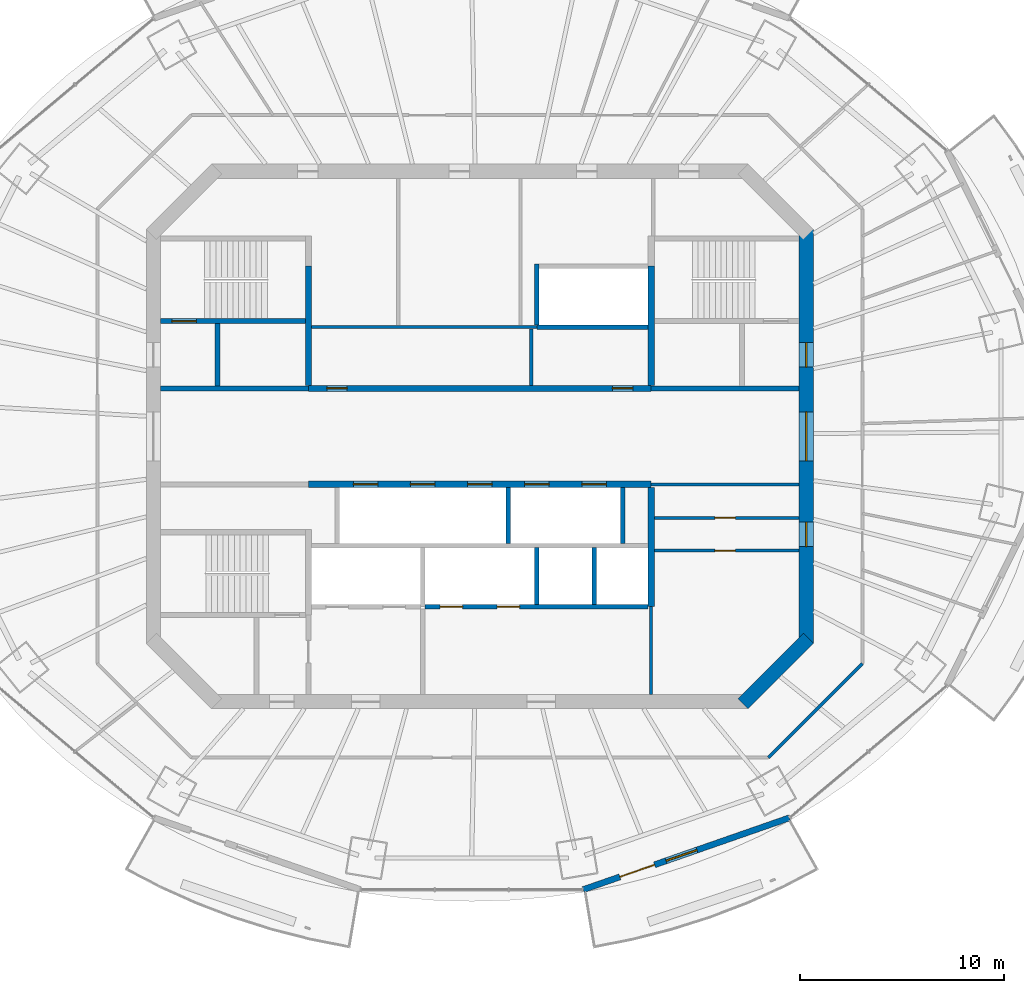
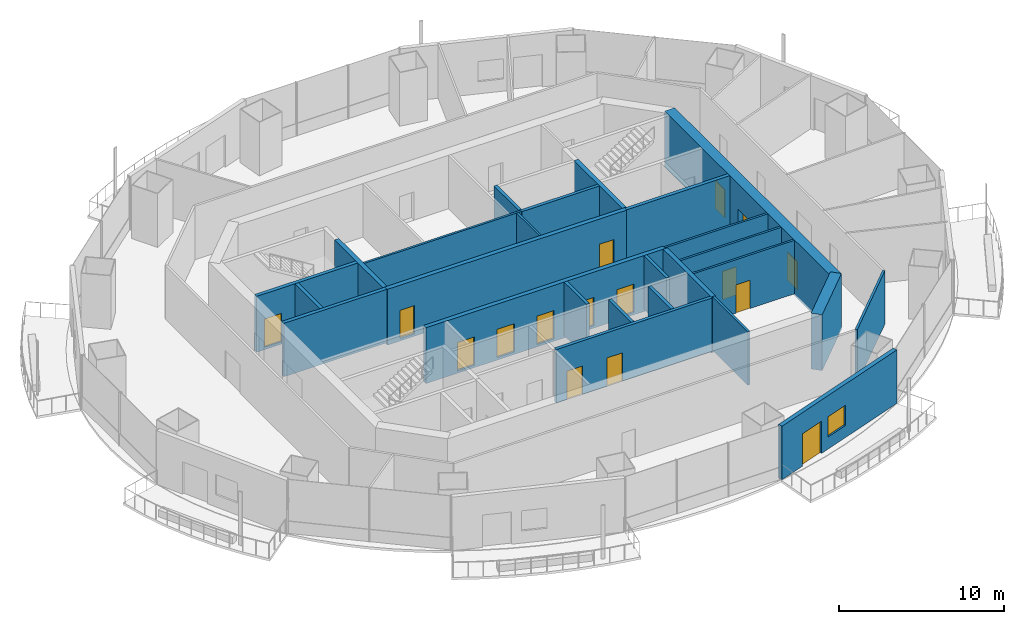
# One storey, part 9 of 16: 26 walls, 16 doors, 1 window, 17 openings.
"""IFC4 building model written with IfcOpenShell, lengths in metres."""

from ifc_helpers import new_model, si_unit, direction, frame, frame_2d, origin, place, context, subcontext, project, spatial, rectangle, extrude, material, layer, layer_set, type_object, element, fill, save


model = new_model("IFC4")

# Units and contexts
model_context = context("Model", 3, precision=1e-05, world=origin(), true_north=direction((0.0, 1.0)))
body_context = subcontext(model_context, "Body", "Model", "MODEL_VIEW")
ifc_project = project(units=[si_unit("LENGTHUNIT", "METRE"), si_unit("AREAUNIT", "SQUARE_METRE"), si_unit("VOLUMEUNIT", "CUBIC_METRE"), si_unit("PLANEANGLEUNIT", "RADIAN"), si_unit("MASSUNIT", "GRAM", prefix="KILO")], contexts=[model_context])

# Site, building, storey
site_placement = place(None, origin())
site = spatial("IfcSite", under=ifc_project, at=site_placement, CompositionType="ELEMENT")
building_placement = place(site_placement, origin())
building = spatial("IfcBuilding", under=site, at=building_placement, Name="Marenthal Gate Tower", CompositionType="ELEMENT")
storey_placement = place(building_placement, frame((0.0, 0.0, 313.550048828125)))
storey = spatial("IfcBuildingStorey", under=building, at=storey_placement, Name="L70", CompositionType="ELEMENT", Elevation=313.550048828125)

# Wall
ifc_material_1 = material(Name="Concrete 60 MPa", Category="concrete")
ifc_layer_1 = layer(ifc_material_1, 0.699951171875)
ifc_layer_set_1 = layer_set([ifc_layer_1], Name="Core shear wall 700")
wall_type_1 = type_object("IfcWallType", Name="Core shear wall 700", PredefinedType="SHEAR", material=ifc_layer_set_1)
wall_1_placement = place(storey_placement, frame((12.8974609375, -13.1025390625, -0.179931640625), z_axis=(0.0, 0.0, 1.0), x_axis=(0.707106781187, 0.707106781187, 0.0)))
element("IfcWall", 1, at=wall_1_placement, inside=storey, type_object=wall_type_1, Name="Core wall 01", PredefinedType="SHEAR", context=body_context, shape_type="SweptSolid", body=[
    extrude(rectangle(XDim=4.53271484375, YDim=0.699951171875, at=frame_2d((2.266357421875, 0.0))), origin(), (0.0, 0.0, 1.0), 4.14990234375),
])

# Wall, openings, doors
wall_2_placement = place(storey_placement, frame((16.0, -10.14501953125, -0.179931640625), z_axis=(0.0, 0.0, 1.0), x_axis=(0.0, 1.0, 0.0)))
wall_2 = element("IfcWall", 2, at=wall_2_placement, inside=storey, type_object=wall_type_1, Name="Core wall 02", PredefinedType="SHEAR", context=body_context, shape_type="SweptSolid", body=[
    extrude(rectangle(XDim=20.2900390625, YDim=0.699951171875, at=frame_2d((10.14501953125, 0.0))), origin(), (0.0, 0.0, 1.0), 4.14990234375),
])
opening_1_placement = place(wall_2_placement, frame((8.945068359375, 0.0, 0.179931640625)))
opening_1 = element("IfcOpeningElement", 3, at=opening_1_placement, cuts=wall_2, Name="Opening D003.02", PredefinedType="OPENING", context=body_context, shape_type="SweptSolid", body=[
    extrude(rectangle(XDim=2.39990234375, YDim=2.10009765625, at=frame_2d((1.199951171875, 1.050048828125))), frame((0.0, 0.35986328125, 0.0), z_axis=(0.0, -1.0, 0.0), x_axis=(1.0, 0.0, 0.0)), (0.0, 0.0, 1.0), 0.719970703125),
])
opening_2_placement = place(wall_2_placement, frame((13.544921875, 0.0, 0.179931640625)))
opening_2 = element("IfcOpeningElement", 4, at=opening_2_placement, cuts=wall_2, Name="Opening D001.05", PredefinedType="OPENING", context=body_context, shape_type="SweptSolid", body=[
    extrude(rectangle(XDim=1.199951171875, YDim=2.10009765625, at=frame_2d((0.60009765625, 1.050048828125))), frame((0.0, 0.35986328125, 0.0), z_axis=(0.0, -1.0, 0.0), x_axis=(1.0, 0.0, 0.0)), (0.0, 0.0, 1.0), 0.719970703125),
])
opening_3_placement = place(wall_2_placement, frame((4.7451171875, 0.0, 0.179931640625)))
opening_3 = element("IfcOpeningElement", 5, at=opening_3_placement, cuts=wall_2, Name="Opening D006.01", PredefinedType="OPENING", context=body_context, shape_type="SweptSolid", body=[
    extrude(rectangle(XDim=1.199951171875, YDim=2.10009765625, at=frame_2d((0.60009765625, 1.050048828125))), frame((0.0, 0.35986328125, 0.0), z_axis=(0.0, -1.0, 0.0), x_axis=(1.0, 0.0, 0.0)), (0.0, 0.0, 1.0), 0.719970703125),
])
ifc_material_2 = material(Name="Steel fire door", Category="steel")
door_type_1 = type_object("IfcDoorType", Name="Double fire door FD 45 2400 x 2100", OperationType="DOUBLE_DOOR_SINGLE_SWING", PredefinedType="DOOR", material=ifc_material_2)
door_1_placement = place(opening_1_placement, origin())
door_1 = element("IfcDoor", 6, at=door_1_placement, inside=storey, type_object=door_type_1, Name="Door D003.02", OperationType="DOUBLE_DOOR_SINGLE_SWING", OverallHeight=2.10009765625, OverallWidth=2.39990234375, PredefinedType="DOOR", context=body_context, shape_type="SweptSolid", body=[
    extrude(rectangle(XDim=2.39990234375, YDim=2.10009765625, at=frame_2d((1.199951171875, 1.050048828125))), frame((0.0, 0.02490234375, 0.0), z_axis=(0.0, -1.0, 0.0), x_axis=(1.0, 0.0, 0.0)), (0.0, 0.0, 1.0), 0.050048828125),
])
fill(opening_1, door_1)
ifc_material_3 = material(Name="Steel fire door", Category="steel")
door_type_2 = type_object("IfcDoorType", Name="Fire door FD 45 1200 x 2100", OperationType="NOTDEFINED", PredefinedType="DOOR", material=ifc_material_3)
door_2_placement = place(opening_3_placement, origin())
door_2 = element("IfcDoor", 7, at=door_2_placement, inside=storey, type_object=door_type_2, Name="Door D006.01", OperationType="SINGLE_SWING_RIGHT", OverallHeight=2.10009765625, OverallWidth=1.199951171875, PredefinedType="DOOR", context=body_context, shape_type="SweptSolid", body=[
    extrude(rectangle(XDim=1.199951171875, YDim=2.10009765625, at=frame_2d((0.60009765625, 1.050048828125))), frame((0.0, 0.02490234375, 0.0), z_axis=(0.0, -1.0, 0.0), x_axis=(1.0, 0.0, 0.0)), (0.0, 0.0, 1.0), 0.050048828125),
])
fill(opening_3, door_2)
ifc_material_4 = material(Name="Steel fire door", Category="steel")
door_type_3 = type_object("IfcDoorType", Name="Fire door FD 90 1200 x 2100", OperationType="NOTDEFINED", PredefinedType="DOOR", material=ifc_material_4)
door_3_placement = place(opening_2_placement, origin())
door_3 = element("IfcDoor", 8, at=door_3_placement, inside=storey, type_object=door_type_3, Name="Door D001.05", OperationType="SINGLE_SWING_RIGHT", OverallHeight=2.10009765625, OverallWidth=1.199951171875, PredefinedType="DOOR", context=body_context, shape_type="SweptSolid", body=[
    extrude(rectangle(XDim=1.199951171875, YDim=2.10009765625, at=frame_2d((0.60009765625, 1.050048828125))), frame((0.0, 0.02490234375, 0.0), z_axis=(0.0, -1.0, 0.0), x_axis=(1.0, 0.0, 0.0)), (0.0, 0.0, 1.0), 0.050048828125),
])
fill(opening_2, door_3)

ifc_material_5 = material(Name="Concrete 50 MPa", Category="concrete")
ifc_layer_2 = layer(ifc_material_5, 0.300048828125)
ifc_layer_set_2 = layer_set([ifc_layer_2], Name="Hoistway shear wall 300")
wall_type_2 = type_object("IfcWallType", Name="Hoistway shear wall 300", PredefinedType="SHEAR", material=ifc_layer_set_2)
wall_3_placement = place(storey_placement, frame((-8.39990234375, -2.35009765625, -0.179931640625), z_axis=(0.0, 0.0, 1.0), x_axis=(1.0, 0.0, 0.0)))
wall_3 = element("IfcWall", 9, at=wall_3_placement, inside=storey, type_object=wall_type_2, Name="Hoistway wall 17", PredefinedType="SHEAR", context=body_context, shape_type="SweptSolid", body=[
    extrude(rectangle(XDim=16.7998046875, YDim=0.300048828125, at=frame_2d((8.39990234375, 0.0))), origin(), (0.0, 0.0, 1.0), 4.14990234375),
])
opening_4_placement = place(wall_3_placement, frame((2.199951171875, 0.0, 0.179931640625)))
opening_4 = element("IfcOpeningElement", 10, at=opening_4_placement, cuts=wall_3, Name="Opening LD-HP1", PredefinedType="OPENING", context=body_context, shape_type="SweptSolid", body=[
    extrude(rectangle(XDim=1.199951171875, YDim=2.10009765625, at=frame_2d((0.60009765625, 1.050048828125))), frame((0.0, 0.16015625, 0.0), z_axis=(0.0, -1.0, 0.0), x_axis=(1.0, 0.0, 0.0)), (0.0, 0.0, 1.0), 0.320068359375),
])
opening_5_placement = place(wall_3_placement, frame((5.0, 0.0, 0.179931640625)))
opening_5 = element("IfcOpeningElement", 11, at=opening_5_placement, cuts=wall_3, Name="Opening LD-HP2", PredefinedType="OPENING", context=body_context, shape_type="SweptSolid", body=[
    extrude(rectangle(XDim=1.199951171875, YDim=2.10009765625, at=frame_2d((0.60009765625, 1.050048828125))), frame((0.0, 0.16015625, 0.0), z_axis=(0.0, -1.0, 0.0), x_axis=(1.0, 0.0, 0.0)), (0.0, 0.0, 1.0), 0.320068359375),
])
opening_6_placement = place(wall_3_placement, frame((7.800048828125, 0.0, 0.179931640625)))
opening_6 = element("IfcOpeningElement", 12, at=opening_6_placement, cuts=wall_3, Name="Opening LD-HP3", PredefinedType="OPENING", context=body_context, shape_type="SweptSolid", body=[
    extrude(rectangle(XDim=1.199951171875, YDim=2.10009765625, at=frame_2d((0.60009765625, 1.050048828125))), frame((0.0, 0.16015625, 0.0), z_axis=(0.0, -1.0, 0.0), x_axis=(1.0, 0.0, 0.0)), (0.0, 0.0, 1.0), 0.320068359375),
])
opening_7_placement = place(wall_3_placement, frame((10.60009765625, 0.0, 0.179931640625)))
opening_7 = element("IfcOpeningElement", 13, at=opening_7_placement, cuts=wall_3, Name="Opening LD-HP4", PredefinedType="OPENING", context=body_context, shape_type="SweptSolid", body=[
    extrude(rectangle(XDim=1.199951171875, YDim=2.10009765625, at=frame_2d((0.60009765625, 1.050048828125))), frame((0.0, 0.16015625, 0.0), z_axis=(0.0, -1.0, 0.0), x_axis=(1.0, 0.0, 0.0)), (0.0, 0.0, 1.0), 0.320068359375),
])
opening_8_placement = place(wall_3_placement, frame((13.39990234375, 0.0, 0.179931640625)))
opening_8 = element("IfcOpeningElement", 14, at=opening_8_placement, cuts=wall_3, Name="Opening LD-HP5", PredefinedType="OPENING", context=body_context, shape_type="SweptSolid", body=[
    extrude(rectangle(XDim=1.199951171875, YDim=2.10009765625, at=frame_2d((0.60009765625, 1.050048828125))), frame((0.0, 0.16015625, 0.0), z_axis=(0.0, -1.0, 0.0), x_axis=(1.0, 0.0, 0.0)), (0.0, 0.0, 1.0), 0.320068359375),
])
ifc_material_6 = material(Name="Stainless steel sliding door", Category="steel")
door_type_4 = type_object("IfcDoorType", Name="Lift landing door FD 90 1200 x 2100", OperationType="DOUBLE_DOOR_SLIDING", PredefinedType="DOOR", material=ifc_material_6)
door_4_placement = place(opening_4_placement, origin())
door_4 = element("IfcDoor", 15, at=door_4_placement, inside=storey, type_object=door_type_4, Name="Lift landing door HP1", OperationType="DOUBLE_DOOR_SLIDING", OverallHeight=2.10009765625, OverallWidth=1.199951171875, PredefinedType="DOOR", context=body_context, shape_type="SweptSolid", body=[
    extrude(rectangle(XDim=1.199951171875, YDim=2.10009765625, at=frame_2d((0.60009765625, 1.050048828125))), frame((0.0, 0.02490234375, 0.0), z_axis=(0.0, -1.0, 0.0), x_axis=(1.0, 0.0, 0.0)), (0.0, 0.0, 1.0), 0.050048828125),
])
fill(opening_4, door_4)
door_5_placement = place(opening_5_placement, origin())
door_5 = element("IfcDoor", 16, at=door_5_placement, inside=storey, type_object=door_type_4, Name="Lift landing door HP2", OperationType="DOUBLE_DOOR_SLIDING", OverallHeight=2.10009765625, OverallWidth=1.199951171875, PredefinedType="DOOR", context=body_context, shape_type="SweptSolid", body=[
    extrude(rectangle(XDim=1.199951171875, YDim=2.10009765625, at=frame_2d((0.60009765625, 1.050048828125))), frame((0.0, 0.02490234375, 0.0), z_axis=(0.0, -1.0, 0.0), x_axis=(1.0, 0.0, 0.0)), (0.0, 0.0, 1.0), 0.050048828125),
])
fill(opening_5, door_5)
door_6_placement = place(opening_6_placement, origin())
door_6 = element("IfcDoor", 17, at=door_6_placement, inside=storey, type_object=door_type_4, Name="Lift landing door HP3", OperationType="DOUBLE_DOOR_SLIDING", OverallHeight=2.10009765625, OverallWidth=1.199951171875, PredefinedType="DOOR", context=body_context, shape_type="SweptSolid", body=[
    extrude(rectangle(XDim=1.199951171875, YDim=2.10009765625, at=frame_2d((0.60009765625, 1.050048828125))), frame((0.0, 0.02490234375, 0.0), z_axis=(0.0, -1.0, 0.0), x_axis=(1.0, 0.0, 0.0)), (0.0, 0.0, 1.0), 0.050048828125),
])
fill(opening_6, door_6)
door_7_placement = place(opening_7_placement, origin())
door_7 = element("IfcDoor", 18, at=door_7_placement, inside=storey, type_object=door_type_4, Name="Lift landing door HP4", OperationType="DOUBLE_DOOR_SLIDING", OverallHeight=2.10009765625, OverallWidth=1.199951171875, PredefinedType="DOOR", context=body_context, shape_type="SweptSolid", body=[
    extrude(rectangle(XDim=1.199951171875, YDim=2.10009765625, at=frame_2d((0.60009765625, 1.050048828125))), frame((0.0, 0.02490234375, 0.0), z_axis=(0.0, -1.0, 0.0), x_axis=(1.0, 0.0, 0.0)), (0.0, 0.0, 1.0), 0.050048828125),
])
fill(opening_7, door_7)
door_8_placement = place(opening_8_placement, origin())
door_8 = element("IfcDoor", 19, at=door_8_placement, inside=storey, type_object=door_type_4, Name="Lift landing door HP5", OperationType="DOUBLE_DOOR_SLIDING", OverallHeight=2.10009765625, OverallWidth=1.199951171875, PredefinedType="DOOR", context=body_context, shape_type="SweptSolid", body=[
    extrude(rectangle(XDim=1.199951171875, YDim=2.10009765625, at=frame_2d((0.60009765625, 1.050048828125))), frame((0.0, 0.02490234375, 0.0), z_axis=(0.0, -1.0, 0.0), x_axis=(1.0, 0.0, 0.0)), (0.0, 0.0, 1.0), 0.050048828125),
])
fill(opening_8, door_8)

wall_4_placement = place(storey_placement, frame((-8.39990234375, 2.35009765625, -0.179931640625), z_axis=(0.0, 0.0, 1.0), x_axis=(1.0, 0.0, 0.0)))
wall_4 = element("IfcWall", 20, at=wall_4_placement, inside=storey, type_object=wall_type_2, Name="Hoistway wall 20", PredefinedType="SHEAR", context=body_context, shape_type="SweptSolid", body=[
    extrude(rectangle(XDim=16.7998046875, YDim=0.300048828125, at=frame_2d((8.39990234375, 0.0))), origin(), (0.0, 0.0, 1.0), 4.14990234375),
])
opening_9_placement = place(wall_4_placement, frame((0.89990234375, 0.0, 0.179931640625)))
opening_9 = element("IfcOpeningElement", 21, at=opening_9_placement, cuts=wall_4, Name="Opening D005.01", PredefinedType="OPENING", context=body_context, shape_type="SweptSolid", body=[
    extrude(rectangle(XDim=1.0, YDim=2.10009765625, at=frame_2d((0.5, 1.050048828125))), frame((0.0, 0.16015625, 0.0), z_axis=(0.0, -1.0, 0.0), x_axis=(1.0, 0.0, 0.0)), (0.0, 0.0, 1.0), 0.320068359375),
])
opening_10_placement = place(wall_4_placement, frame((14.89990234375, 0.0, 0.179931640625)))
opening_10 = element("IfcOpeningElement", 22, at=opening_10_placement, cuts=wall_4, Name="Opening D005.02", PredefinedType="OPENING", context=body_context, shape_type="SweptSolid", body=[
    extrude(rectangle(XDim=1.0, YDim=2.10009765625, at=frame_2d((0.5, 1.050048828125))), frame((0.0, 0.16015625, 0.0), z_axis=(0.0, -1.0, 0.0), x_axis=(1.0, 0.0, 0.0)), (0.0, 0.0, 1.0), 0.320068359375),
])
ifc_material_7 = material(Name="Steel fire door", Category="steel")
door_type_5 = type_object("IfcDoorType", Name="Fire door FD 45 1000 x 2100", OperationType="NOTDEFINED", PredefinedType="DOOR", material=ifc_material_7)
door_9_placement = place(opening_9_placement, origin())
door_9 = element("IfcDoor", 23, at=door_9_placement, inside=storey, type_object=door_type_5, Name="Door D005.01", OperationType="SINGLE_SWING_RIGHT", OverallHeight=2.10009765625, OverallWidth=1.0, PredefinedType="DOOR", context=body_context, shape_type="SweptSolid", body=[
    extrude(rectangle(XDim=1.0, YDim=2.10009765625, at=frame_2d((0.5, 1.050048828125))), frame((0.0, 0.02490234375, 0.0), z_axis=(0.0, -1.0, 0.0), x_axis=(1.0, 0.0, 0.0)), (0.0, 0.0, 1.0), 0.050048828125),
])
fill(opening_9, door_9)
door_10_placement = place(opening_10_placement, origin())
door_10 = element("IfcDoor", 24, at=door_10_placement, inside=storey, type_object=door_type_5, Name="Door D005.02", OperationType="SINGLE_SWING_RIGHT", OverallHeight=2.10009765625, OverallWidth=1.0, PredefinedType="DOOR", context=body_context, shape_type="SweptSolid", body=[
    extrude(rectangle(XDim=1.0, YDim=2.10009765625, at=frame_2d((0.5, 1.050048828125))), frame((0.0, 0.02490234375, 0.0), z_axis=(0.0, -1.0, 0.0), x_axis=(1.0, 0.0, 0.0)), (0.0, 0.0, 1.0), 0.050048828125),
])
fill(opening_10, door_10)

# Walls
for number, where, z_axis, x_axis, name in (
    (25, (-8.39990234375, 2.5, -0.179931640625), (0.0, 0.0, 1.0), (0.0, 1.0, 0.0), "Hoistway wall 33"),
    (26, (8.39990234375, -8.35009765625, -0.179931640625), (0.0, 0.0, 1.0), (0.0, 1.0, 0.0), "Hoistway wall 47"),
    (27, (8.39990234375, 2.5, -0.179931640625), (0.0, 0.0, 1.0), (0.0, 1.0, 0.0), "Hoistway wall 48"),
):
    element("IfcWall", number, at=place(storey_placement, frame(where, z_axis=z_axis, x_axis=x_axis)), inside=storey, type_object=wall_type_2, Name=name, PredefinedType="SHEAR", context=body_context, shape_type="SweptSolid", body=[
        extrude(rectangle(XDim=5.85009765625, YDim=0.300048828125, at=frame_2d((2.925048828125, 0.0))), origin(), (0.0, 0.0, 1.0), 4.14990234375),
    ])

# Wall, openings, doors
ifc_material_8 = material(Name="Concrete 40 MPa", Category="concrete")
ifc_layer_3 = layer(ifc_material_8, 0.219970703125)
ifc_layer_set_3 = layer_set([ifc_layer_3], Name="Hoistway wall 220")
wall_type_3 = type_object("IfcWallType", Name="Hoistway wall 220", PredefinedType="STANDARD", material=ifc_layer_set_3)
wall_5_placement = place(storey_placement, frame((-2.68994140625, -8.35009765625, 0.0), z_axis=(0.0, 0.0, 1.0), x_axis=(1.0, 0.0, 0.0)))
wall_5 = element("IfcWall", 28, at=wall_5_placement, inside=storey, type_object=wall_type_3, Name="Hoistway wall 11", PredefinedType="STANDARD", context=body_context, shape_type="SweptSolid", body=[
    extrude(rectangle(XDim=10.93994140625, YDim=0.219970703125, at=frame_2d((5.469970703125, 0.0))), origin(), (0.0, 0.0, 1.0), 3.969970703125),
])
opening_11_placement = place(wall_5_placement, frame((0.739990234375, 0.0, 0.0)))
opening_11 = element("IfcOpeningElement", 29, at=opening_11_placement, cuts=wall_5, Name="Opening LD-SV1", PredefinedType="OPENING", context=body_context, shape_type="SweptSolid", body=[
    extrude(rectangle(XDim=1.10009765625, YDim=2.10009765625, at=frame_2d((0.550048828125, 1.050048828125))), frame((0.0, 0.1201171875, 0.0), z_axis=(0.0, -1.0, 0.0), x_axis=(1.0, 0.0, 0.0)), (0.0, 0.0, 1.0), 0.239990234375),
])
opening_12_placement = place(wall_5_placement, frame((3.5400390625, 0.0, 0.0)))
opening_12 = element("IfcOpeningElement", 30, at=opening_12_placement, cuts=wall_5, Name="Opening LD-SV2", PredefinedType="OPENING", context=body_context, shape_type="SweptSolid", body=[
    extrude(rectangle(XDim=1.10009765625, YDim=2.10009765625, at=frame_2d((0.550048828125, 1.050048828125))), frame((0.0, 0.1201171875, 0.0), z_axis=(0.0, -1.0, 0.0), x_axis=(1.0, 0.0, 0.0)), (0.0, 0.0, 1.0), 0.239990234375),
])
ifc_material_9 = material(Name="Stainless steel sliding door", Category="steel")
door_type_6 = type_object("IfcDoorType", Name="Lift landing door FD 90 1100 x 2100", OperationType="DOUBLE_DOOR_SLIDING", PredefinedType="DOOR", material=ifc_material_9)
door_11_placement = place(opening_11_placement, origin())
door_11 = element("IfcDoor", 31, at=door_11_placement, inside=storey, type_object=door_type_6, Name="Lift landing door SV1", OperationType="DOUBLE_DOOR_SLIDING", OverallHeight=2.10009765625, OverallWidth=1.10009765625, PredefinedType="DOOR", context=body_context, shape_type="SweptSolid", body=[
    extrude(rectangle(XDim=1.10009765625, YDim=2.10009765625, at=frame_2d((0.550048828125, 1.050048828125))), frame((0.0, 0.02490234375, 0.0), z_axis=(0.0, -1.0, 0.0), x_axis=(1.0, 0.0, 0.0)), (0.0, 0.0, 1.0), 0.050048828125),
])
fill(opening_11, door_11)
door_12_placement = place(opening_12_placement, origin())
door_12 = element("IfcDoor", 32, at=door_12_placement, inside=storey, type_object=door_type_6, Name="Lift landing door SV2", OperationType="DOUBLE_DOOR_SLIDING", OverallHeight=2.10009765625, OverallWidth=1.10009765625, PredefinedType="DOOR", context=body_context, shape_type="SweptSolid", body=[
    extrude(rectangle(XDim=1.10009765625, YDim=2.10009765625, at=frame_2d((0.550048828125, 1.050048828125))), frame((0.0, 0.02490234375, 0.0), z_axis=(0.0, -1.0, 0.0), x_axis=(1.0, 0.0, 0.0)), (0.0, 0.0, 1.0), 0.050048828125),
])
fill(opening_12, door_12)

# Walls
wall_6_placement = place(storey_placement, frame((2.800048828125, 5.35009765625, 0.0), z_axis=(0.0, 0.0, 1.0), x_axis=(1.0, 0.0, 0.0)))
element("IfcWall", 33, at=wall_6_placement, inside=storey, type_object=wall_type_3, Name="Hoistway wall 23", PredefinedType="STANDARD", context=body_context, shape_type="SweptSolid", body=[
    extrude(rectangle(XDim=5.449951171875, YDim=0.219970703125, at=frame_2d((2.72509765625, 0.0))), origin(), (0.0, 0.0, 1.0), 3.969970703125),
])
wall_7_placement = place(storey_placement, frame((1.39990234375, -5.239990234375, 0.0), z_axis=(0.0, 0.0, 1.0), x_axis=(0.0, 1.0, 0.0)))
element("IfcWall", 34, at=wall_7_placement, inside=storey, type_object=wall_type_3, Name="Hoistway wall 39", PredefinedType="STANDARD", context=body_context, shape_type="SweptSolid", body=[
    extrude(rectangle(XDim=2.739990234375, YDim=0.219970703125, at=frame_2d((1.3701171875, 0.0))), origin(), (0.0, 0.0, 1.0), 3.969970703125),
])
wall_8_placement = place(storey_placement, frame((2.800048828125, -8.239990234375, 0.0), z_axis=(0.0, 0.0, 1.0), x_axis=(0.0, 1.0, 0.0)))
element("IfcWall", 35, at=wall_8_placement, inside=storey, type_object=wall_type_3, Name="Hoistway wall 42", PredefinedType="STANDARD", context=body_context, shape_type="SweptSolid", body=[
    extrude(rectangle(XDim=2.780029296875, YDim=0.219970703125, at=frame_2d((1.39013671875, 0.0))), origin(), (0.0, 0.0, 1.0), 3.969970703125),
])
wall_9_placement = place(storey_placement, frame((2.800048828125, 5.4599609375, 0.0), z_axis=(0.0, 0.0, 1.0), x_axis=(0.0, 1.0, 0.0)))
element("IfcWall", 36, at=wall_9_placement, inside=storey, type_object=wall_type_3, Name="Hoistway wall 43", PredefinedType="STANDARD", context=body_context, shape_type="SweptSolid", body=[
    extrude(rectangle(XDim=3.0, YDim=0.219970703125, at=frame_2d((1.5, 0.0))), origin(), (0.0, 0.0, 1.0), 3.969970703125),
])
wall_10_placement = place(storey_placement, frame((5.60009765625, -8.239990234375, 0.0), z_axis=(0.0, 0.0, 1.0), x_axis=(0.0, 1.0, 0.0)))
element("IfcWall", 37, at=wall_10_placement, inside=storey, type_object=wall_type_3, Name="Hoistway wall 44", PredefinedType="STANDARD", context=body_context, shape_type="SweptSolid", body=[
    extrude(rectangle(XDim=2.780029296875, YDim=0.219970703125, at=frame_2d((1.39013671875, 0.0))), origin(), (0.0, 0.0, 1.0), 3.969970703125),
])
wall_11_placement = place(storey_placement, frame((7.0, -5.239990234375, 0.0), z_axis=(0.0, 0.0, 1.0), x_axis=(0.0, 1.0, 0.0)))
element("IfcWall", 38, at=wall_11_placement, inside=storey, type_object=wall_type_3, Name="Hoistway wall 45", PredefinedType="STANDARD", context=body_context, shape_type="SweptSolid", body=[
    extrude(rectangle(XDim=2.739990234375, YDim=0.219970703125, at=frame_2d((1.3701171875, 0.0))), origin(), (0.0, 0.0, 1.0), 3.969970703125),
])

# Wall, opening, door
ifc_material_10 = material(Name="Gypsum board on steel studs", Category="steel")
ifc_layer_4 = layer(ifc_material_10, 0.14990234375)
ifc_layer_set_4 = layer_set([ifc_layer_4], Name="Partition 150")
wall_type_4 = type_object("IfcWallType", Name="Partition 150", PredefinedType="PARTITIONING", material=ifc_layer_set_4)
wall_12_placement = place(storey_placement, frame((8.550048828125, -5.60009765625, 0.0), z_axis=(0.0, 0.0, 1.0), x_axis=(1.0, 0.0, 0.0)))
wall_12 = element("IfcWall", 39, at=wall_12_placement, inside=storey, type_object=wall_type_4, Name="Partition wall 12", PredefinedType="PARTITIONING", context=body_context, shape_type="SweptSolid", body=[
    extrude(rectangle(XDim=7.099853515625, YDim=0.14990234375, at=frame_2d((3.5498046875, 0.0))), origin(), (0.0, 0.0, 1.0), 3.969970703125),
])
opening_13_placement = place(wall_12_placement, frame((2.97509765625, 0.0, 0.0)))
opening_13 = element("IfcOpeningElement", 40, at=opening_13_placement, cuts=wall_12, Name="Opening D005.08", PredefinedType="OPENING", context=body_context, shape_type="SweptSolid", body=[
    extrude(rectangle(XDim=1.0, YDim=2.10009765625, at=frame_2d((0.5, 1.050048828125))), frame((0.0, 0.0849609375, 0.0), z_axis=(0.0, -1.0, 0.0), x_axis=(1.0, 0.0, 0.0)), (0.0, 0.0, 1.0), 0.169921875),
])
door_13_placement = place(opening_13_placement, frame((1.0, 0.0, 0.0), z_axis=(0.0, 0.0, 1.0), x_axis=(-1.0, 0.0, 0.0)))
door_13 = element("IfcDoor", 41, at=door_13_placement, inside=storey, type_object=door_type_5, Name="Door D005.08", OperationType="SINGLE_SWING_LEFT", OverallHeight=2.10009765625, OverallWidth=1.0, PredefinedType="DOOR", context=body_context, shape_type="SweptSolid", body=[
    extrude(rectangle(XDim=1.0, YDim=2.10009765625, at=frame_2d((0.5, 1.050048828125))), frame((0.0, 0.02490234375, 0.0), z_axis=(0.0, -1.0, 0.0), x_axis=(1.0, 0.0, 0.0)), (0.0, 0.0, 1.0), 0.050048828125),
])
fill(opening_13, door_13)

wall_13_placement = place(storey_placement, frame((8.550048828125, -4.0, 0.0), z_axis=(0.0, 0.0, 1.0), x_axis=(1.0, 0.0, 0.0)))
wall_13 = element("IfcWall", 42, at=wall_13_placement, inside=storey, type_object=wall_type_4, Name="Partition wall 15", PredefinedType="PARTITIONING", context=body_context, shape_type="SweptSolid", body=[
    extrude(rectangle(XDim=7.099853515625, YDim=0.14990234375, at=frame_2d((3.5498046875, 0.0))), origin(), (0.0, 0.0, 1.0), 3.969970703125),
])
opening_14_placement = place(wall_13_placement, frame((2.97509765625, 0.0, 0.0)))
opening_14 = element("IfcOpeningElement", 43, at=opening_14_placement, cuts=wall_13, Name="Opening D005.07", PredefinedType="OPENING", context=body_context, shape_type="SweptSolid", body=[
    extrude(rectangle(XDim=1.0, YDim=2.10009765625, at=frame_2d((0.5, 1.050048828125))), frame((0.0, 0.0849609375, 0.0), z_axis=(0.0, -1.0, 0.0), x_axis=(1.0, 0.0, 0.0)), (0.0, 0.0, 1.0), 0.169921875),
])
door_14_placement = place(opening_14_placement, origin())
door_14 = element("IfcDoor", 44, at=door_14_placement, inside=storey, type_object=door_type_5, Name="Door D005.07", OperationType="SINGLE_SWING_RIGHT", OverallHeight=2.10009765625, OverallWidth=1.0, PredefinedType="DOOR", context=body_context, shape_type="SweptSolid", body=[
    extrude(rectangle(XDim=1.0, YDim=2.10009765625, at=frame_2d((0.5, 1.050048828125))), frame((0.0, 0.02490234375, 0.0), z_axis=(0.0, -1.0, 0.0), x_axis=(1.0, 0.0, 0.0)), (0.0, 0.0, 1.0), 0.050048828125),
])
fill(opening_14, door_14)

# Walls
wall_14_placement = place(storey_placement, frame((8.39990234375, -2.35009765625, 0.0), z_axis=(0.0, 0.0, 1.0), x_axis=(1.0, 0.0, 0.0)))
element("IfcWall", 45, at=wall_14_placement, inside=storey, type_object=wall_type_4, Name="Partition wall 18", PredefinedType="PARTITIONING", context=body_context, shape_type="SweptSolid", body=[
    extrude(rectangle(XDim=7.25, YDim=0.14990234375, at=frame_2d((3.625, 0.0))), origin(), (0.0, 0.0, 1.0), 3.969970703125),
])
wall_15_placement = place(storey_placement, frame((-8.25, 5.35009765625, 0.0), z_axis=(0.0, 0.0, 1.0), x_axis=(1.0, 0.0, 0.0)))
element("IfcWall", 46, at=wall_15_placement, inside=storey, type_object=wall_type_4, Name="Partition wall 22", PredefinedType="PARTITIONING", context=body_context, shape_type="SweptSolid", body=[
    extrude(rectangle(XDim=11.050048828125, YDim=0.14990234375, at=frame_2d((5.52490234375, 0.0))), origin(), (0.0, 0.0, 1.0), 3.969970703125),
])
wall_16_placement = place(storey_placement, frame((2.52001953125, 2.5, 0.0), z_axis=(0.0, 0.0, 1.0), x_axis=(0.0, 1.0, 0.0)))
element("IfcWall", 47, at=wall_16_placement, inside=storey, type_object=wall_type_4, Name="Partition wall 41", PredefinedType="PARTITIONING", context=body_context, shape_type="SweptSolid", body=[
    extrude(rectangle(XDim=2.77490234375, YDim=0.14990234375, at=frame_2d((1.387451171875, 0.0))), origin(), (0.0, 0.0, 1.0), 3.969970703125),
])
wall_17_placement = place(storey_placement, frame((8.39990234375, -12.64990234375, 0.0), z_axis=(0.0, 0.0, 1.0), x_axis=(0.0, 1.0, 0.0)))
element("IfcWall", 48, at=wall_17_placement, inside=storey, type_object=wall_type_4, Name="Partition wall 46", PredefinedType="PARTITIONING", context=body_context, shape_type="SweptSolid", body=[
    extrude(rectangle(XDim=4.2998046875, YDim=0.14990234375, at=frame_2d((2.14990234375, 0.0))), origin(), (0.0, 0.0, 1.0), 3.969970703125),
])
wall_18_placement = place(storey_placement, frame((18.75, -11.13916015625, 0.0), z_axis=(0.0, 0.0, 1.0), x_axis=(-0.707106781187, -0.707106781187, 0.0)))
element("IfcWall", 49, at=wall_18_placement, inside=storey, type_object=wall_type_4, Name="Partition wall 63", PredefinedType="PARTITIONING", context=body_context, shape_type="SweptSolid", body=[
    extrude(rectangle(XDim=6.520751953125, YDim=0.14990234375, at=frame_2d((3.26025390625, 0.0))), origin(), (0.0, 0.0, 1.0), 3.969970703125),
])
ifc_material_11 = material(Name="Concrete 40 MPa", Category="concrete")
ifc_layer_5 = layer(ifc_material_11, 0.25)
ifc_layer_set_5 = layer_set([ifc_layer_5], Name="Stair enclosure wall 250")
wall_type_5 = type_object("IfcWallType", Name="Stair enclosure wall 250", PredefinedType="STANDARD", material=ifc_layer_set_5)
for number, where, z_axis, x_axis, name in (
    (50, (-15.64990234375, 2.35009765625, 0.0), (0.0, 0.0, 1.0), (1.0, 0.0, 0.0), "Stair wall 19"),
    (51, (8.39990234375, 2.35009765625, 0.0), (0.0, 0.0, 1.0), (1.0, 0.0, 0.0), "Stair wall 21"),
):
    element("IfcWall", number, at=place(storey_placement, frame(where, z_axis=z_axis, x_axis=x_axis)), inside=storey, type_object=wall_type_5, Name=name, PredefinedType="STANDARD", context=body_context, shape_type="SweptSolid", body=[
        extrude(rectangle(XDim=7.25, YDim=0.25, at=frame_2d((3.625, 0.0))), origin(), (0.0, 0.0, 1.0), 3.969970703125),
    ])
wall_19_placement = place(storey_placement, frame((-12.85009765625, 2.47509765625, 0.0), z_axis=(0.0, 0.0, 1.0), x_axis=(0.0, 1.0, 0.0)))
element("IfcWall", 52, at=wall_19_placement, inside=storey, type_object=wall_type_5, Name="Stair wall 29", PredefinedType="STANDARD", context=body_context, shape_type="SweptSolid", body=[
    extrude(rectangle(XDim=3.0498046875, YDim=0.25, at=frame_2d((1.52490234375, 0.0))), origin(), (0.0, 0.0, 1.0), 3.969970703125),
])

# Wall, opening, door
ifc_material_12 = material(Name="Concrete 50 MPa", Category="concrete")
ifc_layer_6 = layer(ifc_material_12, 0.25)
ifc_layer_set_6 = layer_set([ifc_layer_6], Name="Stair shear wall 250")
wall_type_6 = type_object("IfcWallType", Name="Stair shear wall 250", PredefinedType="SHEAR", material=ifc_layer_set_6)
wall_20_placement = place(storey_placement, frame((-15.64990234375, 5.64990234375, -0.179931640625), z_axis=(0.0, 0.0, 1.0), x_axis=(1.0, 0.0, 0.0)))
wall_20 = element("IfcWall", 53, at=wall_20_placement, inside=storey, type_object=wall_type_6, Name="Stair wall 24", PredefinedType="SHEAR", context=body_context, shape_type="SweptSolid", body=[
    extrude(rectangle(XDim=7.099853515625, YDim=0.25, at=frame_2d((3.5498046875, 0.0))), origin(), (0.0, 0.0, 1.0), 4.14990234375),
])
opening_15_placement = place(wall_20_placement, frame((0.550048828125, 0.0, 0.179931640625)))
opening_15 = element("IfcOpeningElement", 54, at=opening_15_placement, cuts=wall_20, Name="Opening D001.01", PredefinedType="OPENING", context=body_context, shape_type="SweptSolid", body=[
    extrude(rectangle(XDim=1.199951171875, YDim=2.10009765625, at=frame_2d((0.60009765625, 1.050048828125))), frame((0.0, 0.135009765625, 0.0), z_axis=(0.0, -1.0, 0.0), x_axis=(1.0, 0.0, 0.0)), (0.0, 0.0, 1.0), 0.27001953125),
])
door_15_placement = place(opening_15_placement, origin())
door_15 = element("IfcDoor", 55, at=door_15_placement, inside=storey, type_object=door_type_3, Name="Door D001.01", OperationType="SINGLE_SWING_RIGHT", OverallHeight=2.10009765625, OverallWidth=1.199951171875, PredefinedType="DOOR", context=body_context, shape_type="SweptSolid", body=[
    extrude(rectangle(XDim=1.199951171875, YDim=2.10009765625, at=frame_2d((0.60009765625, 1.050048828125))), frame((0.0, 0.02490234375, 0.0), z_axis=(0.0, -1.0, 0.0), x_axis=(1.0, 0.0, 0.0)), (0.0, 0.0, 1.0), 0.050048828125),
])
fill(opening_15, door_15)

# Wall, openings, door, window
ifc_material_13 = material(Name="Terracotta cladding on insulated concrete-block backing", Category="masonry")
ifc_layer_7 = layer(ifc_material_13, 0.300048828125)
ifc_layer_set_7 = layer_set([ifc_layer_7], Name="Terracotta facade wall 300")
wall_type_7 = type_object("IfcWallType", Name="Terracotta facade wall 300", PredefinedType="SOLIDWALL", material=ifc_layer_set_7)
wall_21_placement = place(storey_placement, frame((5.069091796875, -22.218994140625, 0.0), z_axis=(0.0, 0.0, 1.0), x_axis=(0.94436622093, 0.328895790132, 0.0)))
wall_21 = element("IfcWall", 56, at=wall_21_placement, inside=storey, type_object=wall_type_7, Name="Terracotta facade wall L70 bay 13", PredefinedType="SOLIDWALL", context=body_context, shape_type="SweptSolid", body=[
    extrude(rectangle(XDim=10.701171875, YDim=0.300048828125, at=frame_2d((5.3505859375, 0.0))), origin(), (0.0, 0.0, 1.0), 3.969970703125),
])
opening_16_placement = place(wall_21_placement, frame((1.89990234375, 0.0, 0.0)))
opening_16 = element("IfcOpeningElement", 57, at=opening_16_placement, cuts=wall_21, Name="Opening BD-L70-13", PredefinedType="OPENING", context=body_context, shape_type="SweptSolid", body=[
    extrude(rectangle(XDim=1.800048828125, YDim=2.39990234375, at=frame_2d((0.89990234375, 1.199951171875))), frame((0.0, 0.16015625, 0.0), z_axis=(0.0, -1.0, 0.0), x_axis=(1.0, 0.0, 0.0)), (0.0, 0.0, 1.0), 0.320068359375),
])
opening_17_placement = place(wall_21_placement, frame((4.300048828125, 0.0, 0.89990234375)))
opening_17 = element("IfcOpeningElement", 58, at=opening_17_placement, cuts=wall_21, Name="Opening WN3-L70-13", PredefinedType="OPENING", context=body_context, shape_type="SweptSolid", body=[
    extrude(rectangle(XDim=1.60009765625, YDim=1.5, at=frame_2d((0.800048828125, 0.75))), frame((0.0, 0.16015625, 0.0), z_axis=(0.0, -1.0, 0.0), x_axis=(1.0, 0.0, 0.0)), (0.0, 0.0, 1.0), 0.320068359375),
])
ifc_material_14 = material(Name="Aluminium and glass", Category="aluminium")
door_type_7 = type_object("IfcDoorType", Name="Balcony door 1800x2400", OperationType="DOUBLE_DOOR_SINGLE_SWING", PredefinedType="DOOR", material=ifc_material_14)
door_16_placement = place(opening_16_placement, origin())
door_16 = element("IfcDoor", 59, at=door_16_placement, inside=storey, type_object=door_type_7, Name="Balcony door L70 bay 13", OperationType="SINGLE_SWING_LEFT", OverallHeight=2.39990234375, OverallWidth=1.800048828125, PredefinedType="DOOR", context=body_context, shape_type="SweptSolid", body=[
    extrude(rectangle(XDim=1.800048828125, YDim=2.39990234375, at=frame_2d((0.89990234375, 1.199951171875))), frame((0.0, 0.02490234375, 0.0), z_axis=(0.0, -1.0, 0.0), x_axis=(1.0, 0.0, 0.0)), (0.0, 0.0, 1.0), 0.050048828125),
])
fill(opening_16, door_16)
ifc_material_15 = material(Name="Aluminium and glass", Category="aluminium")
window_type = type_object("IfcWindowType", Name="Window 1600x1500", PartitioningType="DOUBLE_PANEL_VERTICAL", PredefinedType="WINDOW", material=ifc_material_15)
window_placement = place(opening_17_placement, origin())
window = element("IfcWindow", 60, at=window_placement, inside=storey, type_object=window_type, Name="Window L70 bay 13", OverallHeight=1.5, OverallWidth=1.60009765625, PartitioningType="SINGLE_PANEL", PredefinedType="WINDOW", context=body_context, shape_type="SweptSolid", body=[
    extrude(rectangle(XDim=1.60009765625, YDim=1.5, at=frame_2d((0.800048828125, 0.75))), frame((0.0, 0.030029296875, 0.0), z_axis=(0.0, -1.0, 0.0), x_axis=(1.0, 0.0, 0.0)), (0.0, 0.0, 1.0), 0.06005859375),
])
fill(opening_17, window)

save(model, "model.ifc")
